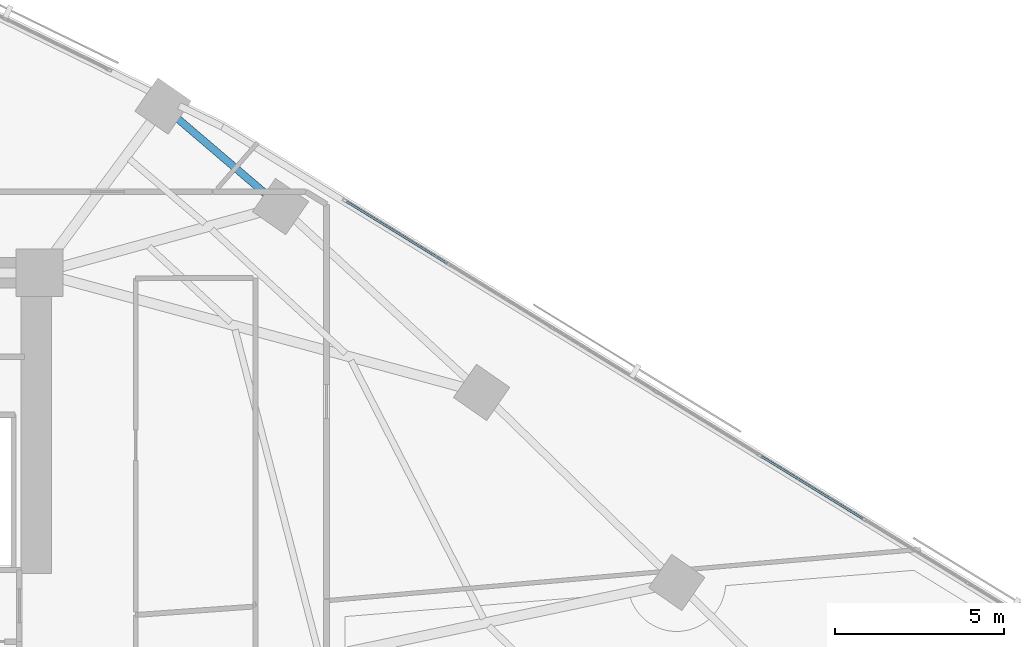
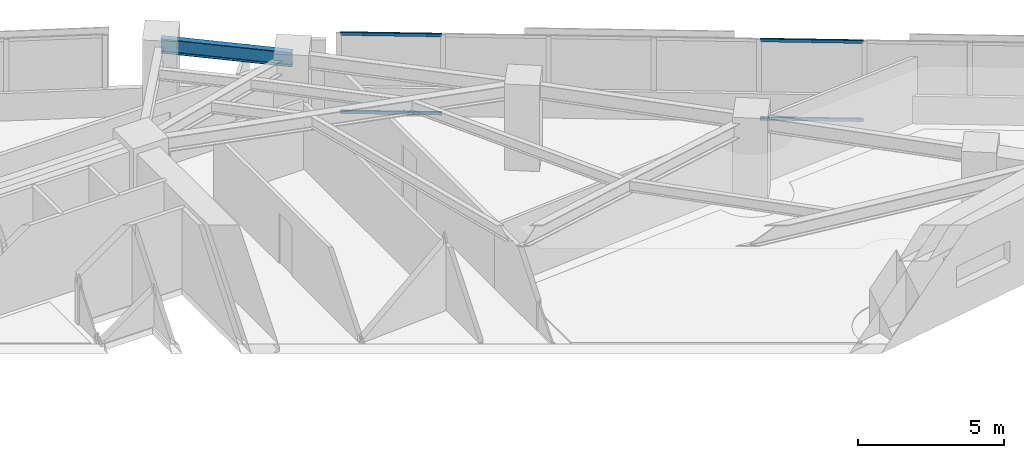
# One storey, part 7 of 18: 4 members, 1 beam, 1 element without a shape of its own.
"""IFC4 building model written with IfcOpenShell, lengths in metres."""

import ifcopenshell
import ifcopenshell.guid

model = None  # the IFC model being written
_history = None  # IfcOwnerHistory: only IFC2X3 demands one
_inside = {}  # id of a spatial element -> (the spatial element, [elements in it])
_under = {}  # id of a project, library or spatial element -> (it, [spatial elements below it])
_declared = {}  # id of a project -> (the project, [libraries it declares])
_typed = {}  # id of a type object -> (the type object, [elements of that type])
_made_of = {}  # id of a material, layer set ... -> (it, [elements and type objects made of it])


def new_model(schema):
    """Start an empty IFC model of exactly this schema.

    Asked for "IFC4X3", IfcOpenShell would pick the latest addendum, in which some entities
    have other attributes; the version numbers below select the first issue.
    IFC2X3 requires an IfcOwnerHistory on every rooted entity: one is made here for all.
    """
    global model, _history
    if schema == "IFC4X3":
        model = ifcopenshell.file(schema_version=(4, 3, 0, 0))
    else:
        model = ifcopenshell.file(schema=schema)
    _inside.clear()
    _under.clear()
    _declared.clear()
    _typed.clear()
    _made_of.clear()
    _history = None
    if model.schema == "IFC2X3":
        org = make("IfcOrganization", Name="unknown")
        user = make(
            "IfcPersonAndOrganization",
            ThePerson=make("IfcPerson", FamilyName="unknown"),
            TheOrganization=org,
        )
        app = make(
            "IfcApplication",
            ApplicationDeveloper=org,
            Version="unknown",
            ApplicationFullName="unknown",
            ApplicationIdentifier="unknown",
        )
        _history = make(
            "IfcOwnerHistory",
            OwningUser=user,
            OwningApplication=app,
            ChangeAction="ADDED",
            CreationDate=0,
        )
    return model


def make(cls, **values):
    """One entity of the class cls with the attributes given. An attribute that is None is left unset."""
    return model.create_entity(
        cls, **{name: value for name, value in values.items() if value is not None}
    )


def rooted(cls, **values):
    """An entity with a GlobalId (a new one), such as an element, a storey or a relation."""
    return make(cls, GlobalId=ifcopenshell.guid.new(), OwnerHistory=_history, **values)


def si_unit(unit_type, name, prefix=None):
    """IfcSIUnit, for example si_unit("LENGTHUNIT", "METRE", prefix="MILLI")."""
    return make("IfcSIUnit", UnitType=unit_type, Prefix=prefix, Name=name)


def assignment(units):
    """IfcUnitAssignment: the units of a project."""
    return None if units is None else make("IfcUnitAssignment", Units=units)


def point(xyz):
    """IfcCartesianPoint."""
    return None if xyz is None else make("IfcCartesianPoint", Coordinates=xyz)


def direction(xyz):
    """IfcDirection."""
    return None if xyz is None else make("IfcDirection", DirectionRatios=xyz)


def frame(location, z_axis=None, x_axis=None):
    """IfcAxis2Placement3D, a coordinate frame: its origin and axes. An axis left out is left unset."""
    return make(
        "IfcAxis2Placement3D",
        Location=point(location),
        Axis=direction(z_axis),
        RefDirection=direction(x_axis),
    )


def frame_2d(location, x_axis=None):
    """IfcAxis2Placement2D, a coordinate frame in the plane: its origin and x axis."""
    return make(
        "IfcAxis2Placement2D", Location=point(location), RefDirection=direction(x_axis)
    )


def origin():
    """The frame at (0, 0, 0) with its axes left unset."""
    return frame((0.0, 0.0, 0.0))


def origin_2d():
    """The frame at (0, 0) in the plane with its x axis left unset."""
    return frame_2d((0.0, 0.0))


def place(relative_to, where):
    """IfcLocalPlacement: puts the frame where relative to a parent placement (None: the world)."""
    return make(
        "IfcLocalPlacement", PlacementRelTo=relative_to, RelativePlacement=where
    )


def context(
    kind, dimensions, precision=None, world=None, true_north=None, identifier=None
):
    """IfcGeometricRepresentationContext, for example the 3D "Model" context."""
    return make(
        "IfcGeometricRepresentationContext",
        ContextIdentifier=identifier,
        ContextType=kind,
        CoordinateSpaceDimension=dimensions,
        Precision=precision,
        WorldCoordinateSystem=world,
        TrueNorth=true_north,
    )


def subcontext(parent, identifier, kind, view, scale=None):
    """IfcGeometricRepresentationSubContext, for example "Body" below "Model"."""
    return make(
        "IfcGeometricRepresentationSubContext",
        ContextIdentifier=identifier,
        ContextType=kind,
        ParentContext=parent,
        TargetScale=scale,
        TargetView=view,
    )


def project(units=None, contexts=None):
    """IfcProject with its units and contexts."""
    return rooted(
        "IfcProject",
        Name="project",
        RepresentationContexts=contexts,
        UnitsInContext=assignment(units),
    )


def spatial(cls, under=None, at=None, **own):
    """A site, building, storey or space (cls), placed at a placement, below another one or the project."""
    s = rooted(cls, ObjectPlacement=at, **own)
    if under is not None:
        _under.setdefault(under.id(), (under, []))[1].append(s)
    return s


def profile(cls, at=None, kind="AREA", **sizes):
    """A parametric profile (cls). Its sizes go by their IFC names, for example OverallWidth=200.0."""
    return make(cls, ProfileType=kind, Position=at, **sizes)


def hollow_rectangle(**sizes):
    """IfcRectangleHollowProfileDef."""
    return profile("IfcRectangleHollowProfileDef", **sizes)


def i_section(**sizes):
    """IfcIShapeProfileDef."""
    return profile("IfcIShapeProfileDef", **sizes)


def extrude(swept, where, along, depth):
    """IfcExtrudedAreaSolid: the profile swept, set in the frame where, extruded along a direction by depth."""
    return make(
        "IfcExtrudedAreaSolid",
        SweptArea=swept,
        Position=where,
        ExtrudedDirection=direction(along),
        Depth=depth,
    )


def shape(context_of_items, identifier, shape_type, items):
    """IfcShapeRepresentation: the items that make up one representation, for example the "Body"."""
    return make(
        "IfcShapeRepresentation",
        ContextOfItems=context_of_items,
        RepresentationIdentifier=identifier,
        RepresentationType=shape_type,
        Items=items,
    )


def material(Name=None, Category=None):
    """IfcMaterial."""
    return make("IfcMaterial", Name=Name, Category=Category)


def material_profile(
    of_material, cross_section, Name=None, Category=None, Priority=None
):
    """IfcMaterialProfile: a cross section and its material."""
    return make(
        "IfcMaterialProfile",
        Name=Name,
        Material=of_material,
        Profile=cross_section,
        Priority=Priority,
        Category=Category,
    )


def profile_set(profiles, Name=None, composite=None):
    """IfcMaterialProfileSet."""
    return make(
        "IfcMaterialProfileSet",
        Name=Name,
        MaterialProfiles=profiles,
        CompositeProfile=composite,
    )


def made_of(thing, what):
    """Note that an element or type object is made of a material, layer set ...; save() writes the relation."""
    if what is not None:
        _made_of.setdefault(what.id(), (what, []))[1].append(thing)
    return thing


def type_object(cls, material=None, **own):
    """A type object (cls), such as IfcWallType, which elements share."""
    return made_of(rooted(cls, **own), material)


def element(
    cls,
    number,
    at=None,
    inside=None,
    cuts=None,
    type_object=None,
    material=None,
    context=None,
    identifier="Body",
    shape_type=None,
    held_by="IfcProductDefinitionShape",
    body=None,
    shapes=None,
    **own,
):
    """One element of the class cls, such as IfcWall. Its Tag is "e" and its number.

    at: its placement. inside: the storey or other place that contains it. cuts: it is an
    opening in that element (IfcRelVoidsElement). A single representation is given by context,
    identifier, shape_type and body (its items); several are given by shapes. held_by: the class
    of the entity that holds the representations. save() writes the other relations.
    """
    e = rooted(cls, Tag="e%d" % number, ObjectPlacement=at, **own)
    if body is not None:
        shapes = [shape(context, identifier, shape_type, body)]
    if shapes is not None:
        e.Representation = make(held_by, Representations=shapes)
    if inside is not None:
        _inside.setdefault(inside.id(), (inside, []))[1].append(e)
    if cuts is not None:
        rooted(
            "IfcRelVoidsElement", RelatingBuildingElement=cuts, RelatedOpeningElement=e
        )
    if type_object is not None:
        _typed.setdefault(type_object.id(), (type_object, []))[1].append(e)
    return made_of(e, material)


def aggregate(whole, parts):
    """IfcRelAggregates: a whole, such as a stair, and the parts it consists of."""
    return rooted("IfcRelAggregates", RelatingObject=whole, RelatedObjects=parts)


def save(model, path):
    """Write the relations noted so far, then the file.

    IfcRelAggregates (storeys below a building ...), IfcRelContainedInSpatialStructure (elements
    in a storey), IfcRelDefinesByType, IfcRelAssociatesMaterial and IfcRelDeclares: one each for
    every whole, place, type object, material and project.
    """
    for whole, parts in _under.values():
        aggregate(whole, parts)
    for where, things in _inside.values():
        rooted(
            "IfcRelContainedInSpatialStructure",
            RelatedElements=things,
            RelatingStructure=where,
        )
    for kind, things in _typed.values():
        rooted("IfcRelDefinesByType", RelatedObjects=things, RelatingType=kind)
    for what, things in _made_of.values():
        rooted("IfcRelAssociatesMaterial", RelatedObjects=things, RelatingMaterial=what)
    for by, libraries in _declared.values():
        rooted("IfcRelDeclares", RelatingContext=by, RelatedDefinitions=libraries)
    model.write(path)


model = new_model("IFC4")

# Units and contexts
model_context = context("Model", 3, precision=1e-05, world=origin(), true_north=direction((0.0, 1.0)))
body_context = subcontext(model_context, "Body", "Model", "MODEL_VIEW")
ifc_project = project(units=[si_unit("LENGTHUNIT", "METRE"), si_unit("AREAUNIT", "SQUARE_METRE"), si_unit("VOLUMEUNIT", "CUBIC_METRE"), si_unit("PLANEANGLEUNIT", "RADIAN"), si_unit("MASSUNIT", "GRAM", prefix="KILO")], contexts=[model_context])

# Site, building, storey
site_placement = place(None, origin())
site = spatial("IfcSite", under=ifc_project, at=site_placement, CompositionType="ELEMENT")
building_placement = place(site_placement, origin())
building = spatial("IfcBuilding", under=site, at=building_placement, Name="Narakoshi Arena Tower", CompositionType="ELEMENT")
storey_placement = place(building_placement, frame((0.0, 0.0, 120.89990234375)))
storey = spatial("IfcBuildingStorey", under=building, at=storey_placement, Name="L32", CompositionType="ELEMENT", Elevation=120.89990234375)

# Beam
ifc_material_1 = material(Name="Structural steel S355J2", Category="steel")
ifc_material_profile_1 = material_profile(ifc_material_1, i_section(OverallWidth=0.219970703125, OverallDepth=0.60009765625, WebThickness=0.011962890625, FlangeThickness=0.01904296875, FilletRadius=0.02392578125, at=origin_2d()), Name="IPE600")
ifc_profile_set_1 = profile_set([ifc_material_profile_1], Name="Structural steel S355J2")
beam_type = type_object("IfcBeamType", Name="BM-EDGE-600", PredefinedType="BEAM", material=ifc_profile_set_1)
beam_placement = place(storey_placement, frame((92.68994140625, 58.462890625, 3.0400390625), z_axis=(-0.760410417533, 0.64944283575, 0.0), x_axis=(-0.64944283575, -0.760410417533, 0.0)))
element("IfcBeam", 1, at=beam_placement, inside=storey, type_object=beam_type, Name="L32 Perimeter Edge Girder 07", PredefinedType="BEAM", context=body_context, shape_type="SweptSolid", body=[
    extrude(i_section(OverallWidth=0.219970703125, OverallDepth=0.60009765625, WebThickness=0.011962890625, FlangeThickness=0.01904296875, FilletRadius=0.02392578125, at=origin_2d()), origin(), (0.0, 0.0, 1.0), 4.58056640625),
])

# Curtain wall, members
ifc_material_2 = material(Name="Anodised bronze aluminium 6063-T6", Category="aluminium")
curtain_wall_type = type_object("IfcCurtainWallType", Name="CW-HYP-LOW", PredefinedType="NOTDEFINED", material=ifc_material_2)
curtain_wall_placement = place(storey_placement, origin())
curtain_wall = element("IfcCurtainWall", 2, at=curtain_wall_placement, inside=storey, type_object=curtain_wall_type, Name="L32 Folded Hypotenuse Curtain Wall 1-1", PredefinedType="NOTDEFINED")
ifc_material_profile_2 = material_profile(ifc_material_2, hollow_rectangle(XDim=0.06494140625, YDim=0.1298828125, WallThickness=0.00390625, OuterFilletRadius=0.0048828125, at=origin_2d()), Name="TRN130x65x4")
ifc_profile_set_2 = profile_set([ifc_material_profile_2], Name="Anodised bronze aluminium 6063-T6")
member_type = type_object("IfcMemberType", Name="MEM-TRN-130", PredefinedType="USERDEFINED", material=ifc_profile_set_2)
member_1_placement = place(storey_placement, frame((109.931884765625, 49.218017578125, 0.03271484375), z_axis=(-0.852103699909, 0.523372988032, 0.0), x_axis=(-0.523372988032, -0.852103699909, 0.0)))
member_1 = element("IfcMember", 3, at=member_1_placement, type_object=member_type, Name="CW-01 transom 4.1", ObjectType="TRANSOM", PredefinedType="USERDEFINED", context=body_context, shape_type="SweptSolid", body=[
    extrude(hollow_rectangle(XDim=0.06494140625, YDim=0.1298828125, WallThickness=0.00390625, OuterFilletRadius=0.0048828125, at=origin_2d()), origin(), (0.0, 0.0, 1.0), 3.535888671875),
])
member_2_placement = place(storey_placement, frame((109.931884765625, 49.218017578125, 3.3076171875), z_axis=(-0.852103699909, 0.523372988032, 0.0), x_axis=(-0.523372988032, -0.852103699909, 0.0)))
member_2 = element("IfcMember", 4, at=member_2_placement, type_object=member_type, Name="CW-01 transom 4.2", ObjectType="TRANSOM", PredefinedType="USERDEFINED", context=body_context, shape_type="SweptSolid", body=[
    extrude(hollow_rectangle(XDim=0.06494140625, YDim=0.1298828125, WallThickness=0.00390625, OuterFilletRadius=0.0048828125, at=origin_2d()), origin(), (0.0, 0.0, 1.0), 3.535888671875),
])
member_3_placement = place(storey_placement, frame((97.624267578125, 56.777099609375, 0.03271484375), z_axis=(-0.852089324923, 0.52339639123, 0.0), x_axis=(-0.52339639123, -0.852089324923, 0.0)))
member_3 = element("IfcMember", 5, at=member_3_placement, type_object=member_type, Name="CW-01 transom 8.1", ObjectType="TRANSOM", PredefinedType="USERDEFINED", context=body_context, shape_type="SweptSolid", body=[
    extrude(hollow_rectangle(XDim=0.06494140625, YDim=0.1298828125, WallThickness=0.00390625, OuterFilletRadius=0.0048828125, at=origin_2d()), origin(), (0.0, 0.0, 1.0), 3.498291015625),
])
member_4_placement = place(storey_placement, frame((97.624267578125, 56.777099609375, 3.3076171875), z_axis=(-0.852089324923, 0.52339639123, 0.0), x_axis=(-0.52339639123, -0.852089324923, 0.0)))
member_4 = element("IfcMember", 6, at=member_4_placement, type_object=member_type, Name="CW-01 transom 8.2", ObjectType="TRANSOM", PredefinedType="USERDEFINED", context=body_context, shape_type="SweptSolid", body=[
    extrude(hollow_rectangle(XDim=0.06494140625, YDim=0.1298828125, WallThickness=0.00390625, OuterFilletRadius=0.0048828125, at=origin_2d()), origin(), (0.0, 0.0, 1.0), 3.498291015625),
])
aggregate(curtain_wall, [member_1, member_2, member_3, member_4])

save(model, "model.ifc")
